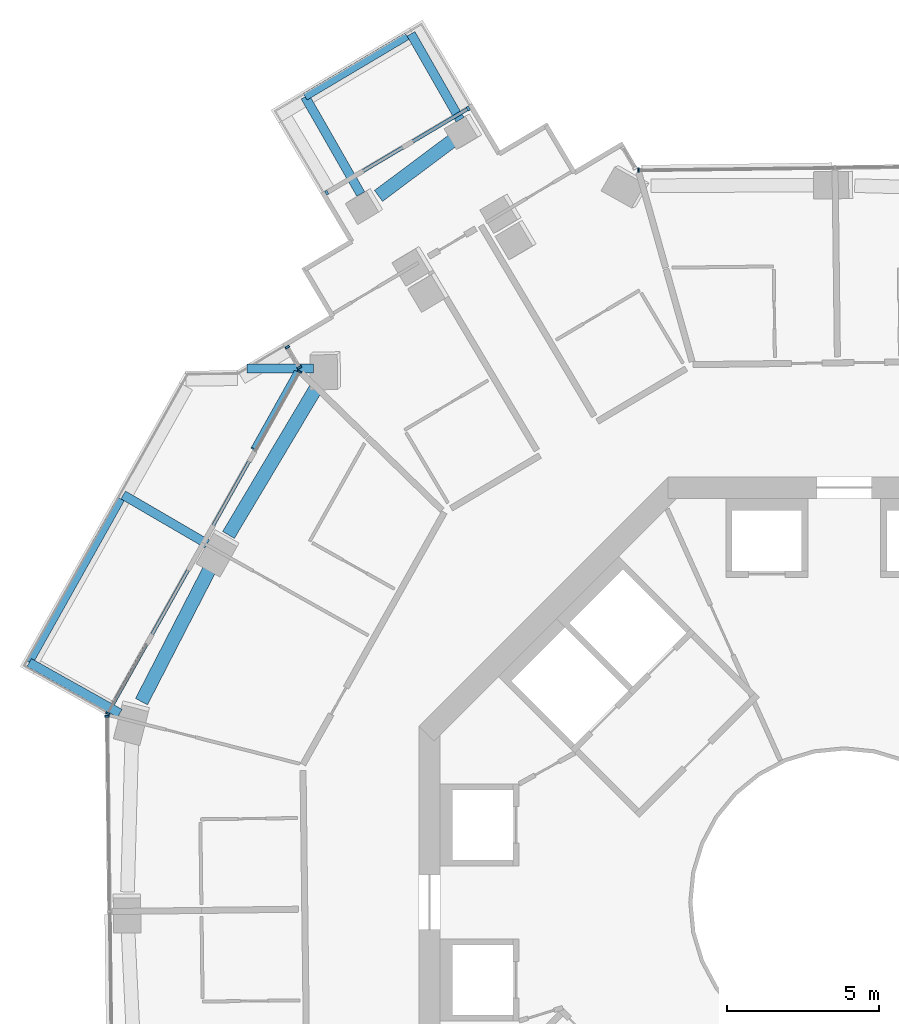
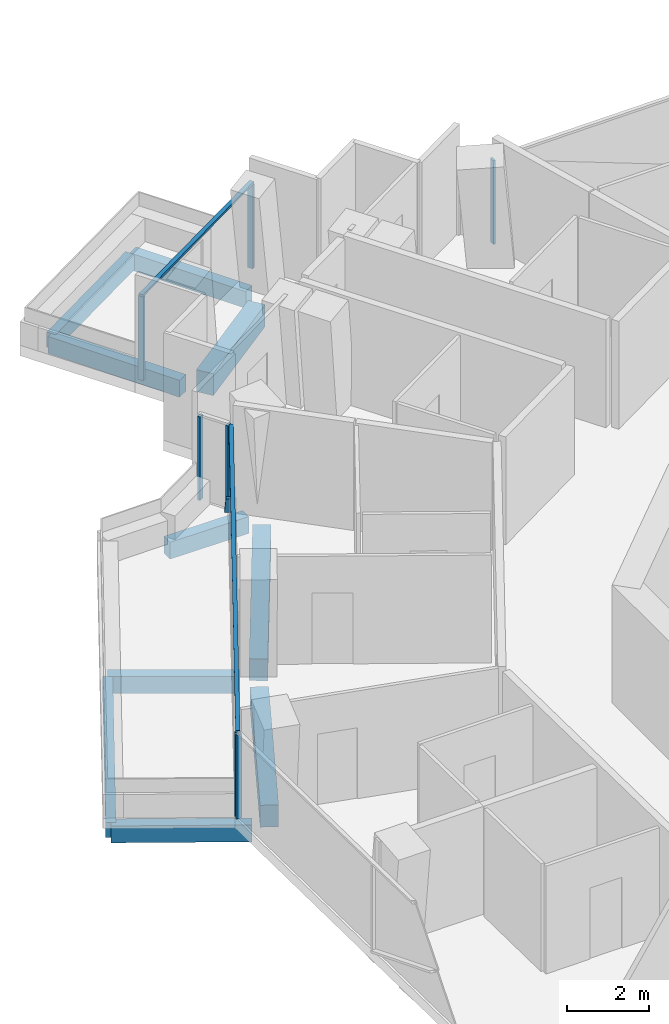
# One storey, part 7 of 21: 11 members, 10 beams, 5 elements without a shape of their own.
"""IFC4 building model written with IfcOpenShell, lengths in metres."""

from ifc_helpers import new_model, si_unit, direction, frame, origin, origin_2d, place, context, subcontext, project, spatial, rectangle, extrude, material, layer, layer_set, material_profile, profile_set, type_object, element, aggregate, save


model = new_model("IFC4")

# Units and contexts
model_context = context("Model", 3, precision=1e-05, world=origin(), true_north=direction((0.0, 1.0)))
body_context = subcontext(model_context, "Body", "Model", "MODEL_VIEW")
ifc_project = project(units=[si_unit("LENGTHUNIT", "METRE"), si_unit("AREAUNIT", "SQUARE_METRE"), si_unit("VOLUMEUNIT", "CUBIC_METRE"), si_unit("PLANEANGLEUNIT", "RADIAN"), si_unit("MASSUNIT", "GRAM", prefix="KILO")], contexts=[model_context])

# Site, building, storey
site_placement = place(None, origin())
site = spatial("IfcSite", under=ifc_project, at=site_placement, CompositionType="ELEMENT")
building_placement = place(site_placement, origin())
building = spatial("IfcBuilding", under=site, at=building_placement, Name="Verdalira Terraces Hotel", CompositionType="ELEMENT")
storey_placement = place(building_placement, frame((0.0, 0.0, 158.5)))
storey = spatial("IfcBuildingStorey", under=building, at=storey_placement, Name="L38", CompositionType="ELEMENT", Elevation=158.5)

# Beams
ifc_material_1 = material(Name="Concrete C40", Category="concrete")
ifc_material_profile_1 = material_profile(ifc_material_1, rectangle(XDim=0.300049, YDim=0.5, at=origin_2d()), Name="RC 300X500")
ifc_profile_set_1 = profile_set([ifc_material_profile_1], Name="Concrete C40")
beam_type_1 = type_object("IfcBeamType", Name="Balcony cantilever beam RC 300X500 C40", PredefinedType="BEAM", material=ifc_profile_set_1)
beam_1_placement = place(storey_placement, frame((-12.64502, 25.760742, -0.560059), z_axis=(-0.496316716, 0.868141531, 0.0), x_axis=(-0.868141531, -0.496316716, 0.0)))
element("IfcBeam", 1, at=beam_1_placement, inside=storey, type_object=beam_type_1, Name="Balcony cantilever beam R05-1", PredefinedType="BEAM", context=body_context, shape_type="SweptSolid", body=[
    extrude(rectangle(XDim=0.300049, YDim=0.5, at=origin_2d()), origin(), (0.0, 0.0, 1.0), 3.253418),
])
beam_2_placement = place(storey_placement, frame((-15.913086, 23.312256, -0.560059), z_axis=(-0.496366996, 0.868112784, 0.0), x_axis=(-0.868112784, -0.496366996, 0.0)))
element("IfcBeam", 2, at=beam_2_placement, inside=storey, type_object=beam_type_1, Name="Balcony cantilever beam R05-2", PredefinedType="BEAM", context=body_context, shape_type="SweptSolid", body=[
    extrude(rectangle(XDim=0.300049, YDim=0.5, at=origin_2d()), origin(), (0.0, 0.0, 1.0), 3.688965),
])
beam_3_placement = place(storey_placement, frame((-20.967285, 11.796631, -0.560059), z_axis=(-0.863925479, 0.503619664, 0.0), x_axis=(-0.503619664, -0.863925479, 0.0)))
element("IfcBeam", 3, at=beam_3_placement, inside=storey, type_object=beam_type_1, Name="Balcony cantilever beam R10-1", PredefinedType="BEAM", context=body_context, shape_type="SweptSolid", body=[
    extrude(rectangle(XDim=0.300049, YDim=0.5, at=origin_2d()), origin(), (0.0, 0.0, 1.0), 3.200928),
])
beam_4_placement = place(storey_placement, frame((-23.842529, 6.221191, -0.560059), z_axis=(-0.872230711, 0.48909466, 0.0), x_axis=(-0.48909466, -0.872230711, 0.0)))
element("IfcBeam", 4, at=beam_4_placement, inside=storey, type_object=beam_type_1, Name="Balcony cantilever beam R10-2", PredefinedType="BEAM", context=body_context, shape_type="SweptSolid", body=[
    extrude(rectangle(XDim=0.300049, YDim=0.5, at=origin_2d()), origin(), (0.0, 0.0, 1.0), 3.419189),
])
beam_5_placement = place(storey_placement, frame((-17.462891, 17.566895, -0.560059), z_axis=(-0.999990651, 0.004324164, 0.0), x_axis=(-0.004324164, -0.999990651, 0.0)))
element("IfcBeam", 5, at=beam_5_placement, inside=storey, type_object=beam_type_1, Name="Balcony cantilever beam R10-3", PredefinedType="BEAM", context=body_context, shape_type="SweptSolid", body=[
    extrude(rectangle(XDim=0.300049, YDim=0.5, at=origin_2d()), origin(), (0.0, 0.0, 1.0), 2.201904),
])
ifc_material_2 = material(Name="Concrete C40", Category="concrete")
ifc_material_profile_2 = material_profile(ifc_material_2, rectangle(XDim=0.25, YDim=0.449951, at=origin_2d()), Name="RC 250X450")
ifc_profile_set_2 = profile_set([ifc_material_profile_2], Name="Concrete C40")
beam_type_2 = type_object("IfcBeamType", Name="Balcony edge beam RC 250X450 C40", PredefinedType="BEAM", material=ifc_profile_set_2)
beam_6_placement = place(storey_placement, frame((-14.388672, 28.508545, -0.534912), z_axis=(-0.859676212, -0.51083932, 0.0), x_axis=(0.51083932, -0.859676212, 0.0)))
element("IfcBeam", 6, at=beam_6_placement, inside=storey, type_object=beam_type_2, Name="Balcony edge beam R05-1", PredefinedType="BEAM", context=body_context, shape_type="SweptSolid", body=[
    extrude(rectangle(XDim=0.25, YDim=0.449951, at=origin_2d()), origin(), (0.0, 0.0, 1.0), 3.903076),
])
beam_7_placement = place(storey_placement, frame((-23.805908, 13.277588, -0.534912), z_axis=(-0.489094675, -0.872230703, 0.0), x_axis=(0.872230703, -0.489094675, 0.0)))
element("IfcBeam", 7, at=beam_7_placement, inside=storey, type_object=beam_type_2, Name="Balcony edge beam R10-1", PredefinedType="BEAM", context=body_context, shape_type="SweptSolid", body=[
    extrude(rectangle(XDim=0.25, YDim=0.449951, at=origin_2d()), origin(), (0.0, 0.0, 1.0), 6.172607),
])

# Curtain wall, members
ifc_material_3 = material(Name="Clear glass", Category="glass")
ifc_layer_1 = layer(ifc_material_3, 0.14990234375)
ifc_layer_set_1 = layer_set([ifc_layer_1], Name="CW1 curtain wall")
curtain_wall_type_1 = type_object("IfcCurtainWallType", Name="CW1 curtain wall", PredefinedType="NOTDEFINED", material=ifc_layer_set_1)
curtain_wall_1_placement = place(storey_placement, origin())
curtain_wall_1 = element("IfcCurtainWall", 8, at=curtain_wall_1_placement, inside=storey, type_object=curtain_wall_type_1, Name="CW1 curtain wall L38 edge 11", PredefinedType="NOTDEFINED")
ifc_material_4 = material(Name="Terracotta frame", Category="masonry")
ifc_material_profile_3 = material_profile(ifc_material_4, rectangle(XDim=0.060059, YDim=0.149902, at=origin_2d()), Name="MU 60x150")
ifc_profile_set_3 = profile_set([ifc_material_profile_3], Name="Terracotta frame")
member_type_1 = type_object("IfcMemberType", Name="CW1 mullion 60x150", PredefinedType="MULLION", material=ifc_profile_set_3)
member_1_placement = place(storey_placement, frame((-17.929443, 17.470947, 0.0), z_axis=(0.0, 0.0, 1.0), x_axis=(-0.489078012, -0.872240046, 0.0)))
member_1 = element("IfcMember", 9, at=member_1_placement, type_object=member_type_1, Name="CW1 mullion", PredefinedType="MULLION", context=body_context, shape_type="SweptSolid", body=[
    extrude(rectangle(XDim=0.060059, YDim=0.149902, at=origin_2d()), origin(), (0.0, 0.0, 1.0), 2.475098),
])
member_2_placement = place(storey_placement, frame((-24.238281, 6.219238, 0.0), z_axis=(0.0, 0.0, 1.0), x_axis=(-0.489078012, -0.872240046, 0.0)))
member_2 = element("IfcMember", 10, at=member_2_placement, type_object=member_type_1, Name="CW1 mullion", PredefinedType="MULLION", context=body_context, shape_type="SweptSolid", body=[
    extrude(rectangle(XDim=0.060059, YDim=0.149902, at=origin_2d()), origin(), (0.0, 0.0, 1.0), 2.475098),
])

# Curtain wall, member
curtain_wall_2_placement = place(storey_placement, origin())
curtain_wall_2 = element("IfcCurtainWall", 11, at=curtain_wall_2_placement, inside=storey, type_object=curtain_wall_type_1, Name="CW1 curtain wall L38 edge 12", PredefinedType="NOTDEFINED")
member_3_placement = place(storey_placement, frame((-24.262207, 6.125488, 0.0), z_axis=(0.0, 0.0, 1.0), x_axis=(0.01256604, -0.999921044, 0.0)))
member_3 = element("IfcMember", 12, at=member_3_placement, type_object=member_type_1, Name="CW1 mullion", PredefinedType="MULLION", context=body_context, shape_type="SweptSolid", body=[
    extrude(rectangle(XDim=0.060059, YDim=0.149902, at=origin_2d()), origin(), (0.0, 0.0, 1.0), 2.475098),
])
aggregate(curtain_wall_2, [member_3])

curtain_wall_3_placement = place(storey_placement, origin())
curtain_wall_3 = element("IfcCurtainWall", 13, at=curtain_wall_3_placement, inside=storey, type_object=curtain_wall_type_1, Name="CW1 curtain wall L38 edge 41", PredefinedType="NOTDEFINED")
member_4_placement = place(storey_placement, frame((-6.773438, 24.100098, 0.0), z_axis=(0.0, 0.0, 1.0), x_axis=(-0.999921044, -0.01256604, 0.0)))
member_4 = element("IfcMember", 14, at=member_4_placement, type_object=member_type_1, Name="CW1 mullion", PredefinedType="MULLION", context=body_context, shape_type="SweptSolid", body=[
    extrude(rectangle(XDim=0.060059, YDim=0.149902, at=origin_2d()), origin(), (0.0, 0.0, 1.0), 2.475098),
])
aggregate(curtain_wall_3, [member_4])

# Member
ifc_material_5 = material(Name="Terracotta frame", Category="masonry")
ifc_material_profile_4 = material_profile(ifc_material_5, rectangle(XDim=0.110107, YDim=0.064941, at=origin_2d()), Name="TR 65x110")
ifc_profile_set_4 = profile_set([ifc_material_profile_4], Name="Terracotta frame")
member_type_2 = type_object("IfcMemberType", Name="CW1 transom 65x110", PredefinedType="USERDEFINED", material=ifc_profile_set_4)
member_5_placement = place(storey_placement, frame((-17.914551, 17.49707, 2.507568), z_axis=(-0.48908286, -0.872237328, 0.0), x_axis=(0.872237328, -0.48908286, 0.0)))
member_5 = element("IfcMember", 15, at=member_5_placement, type_object=member_type_2, Name="CW1 transom", ObjectType="TRANSOM", PredefinedType="USERDEFINED", context=body_context, shape_type="SweptSolid", body=[
    extrude(rectangle(XDim=0.110107, YDim=0.064941, at=origin_2d()), origin(), (0.0, 0.0, 1.0), 12.959717),
])

# Curtain wall, members
ifc_material_6 = material(Name="Clear glass", Category="glass")
ifc_layer_2 = layer(ifc_material_6, 0.14990234375)
ifc_layer_set_2 = layer_set([ifc_layer_2], Name="CW2 curtain wall")
curtain_wall_type_2 = type_object("IfcCurtainWallType", Name="CW2 curtain wall", PredefinedType="NOTDEFINED", material=ifc_layer_set_2)
curtain_wall_4_placement = place(storey_placement, origin())
curtain_wall_4 = element("IfcCurtainWall", 16, at=curtain_wall_4_placement, inside=storey, type_object=curtain_wall_type_2, Name="CW2 curtain wall L38 edge 10", PredefinedType="NOTDEFINED")
ifc_material_7 = material(Name="Terracotta frame", Category="masonry")
ifc_material_profile_5 = material_profile(ifc_material_7, rectangle(XDim=0.070068, YDim=0.149902, at=origin_2d()), Name="MU 70x150")
ifc_profile_set_5 = profile_set([ifc_material_profile_5], Name="Terracotta frame")
member_type_3 = type_object("IfcMemberType", Name="CW2 mullion 70x150", PredefinedType="MULLION", material=ifc_profile_set_5)
member_6_placement = place(storey_placement, frame((-18.332031, 18.272705, 0.0), z_axis=(0.0, 0.0, 1.0), x_axis=(0.510843032, -0.859674006, 0.0)))
member_6 = element("IfcMember", 17, at=member_6_placement, type_object=member_type_3, Name="CW2 mullion", PredefinedType="MULLION", context=body_context, shape_type="SweptSolid", body=[
    extrude(rectangle(XDim=0.070068, YDim=0.149902, at=origin_2d()), origin(), (0.0, 0.0, 1.0), 2.475098),
])
member_7_placement = place(storey_placement, frame((-17.933594, 17.602295, 0.0), z_axis=(0.0, 0.0, 1.0), x_axis=(0.510843032, -0.859674006, 0.0)))
member_7 = element("IfcMember", 18, at=member_7_placement, type_object=member_type_3, Name="CW2 mullion", PredefinedType="MULLION", context=body_context, shape_type="SweptSolid", body=[
    extrude(rectangle(XDim=0.070068, YDim=0.149902, at=origin_2d()), origin(), (0.0, 0.0, 1.0), 2.475098),
])
aggregate(curtain_wall_4, [member_6, member_7])

ifc_material_8 = material(Name="Clear glass", Category="glass")
ifc_layer_3 = layer(ifc_material_8, 0.14990234375)
ifc_layer_set_3 = layer_set([ifc_layer_3], Name="CW3 curtain wall")
curtain_wall_type_3 = type_object("IfcCurtainWallType", Name="CW3 curtain wall", PredefinedType="NOTDEFINED", material=ifc_layer_set_3)
curtain_wall_5_placement = place(storey_placement, origin())
curtain_wall_5 = element("IfcCurtainWall", 19, at=curtain_wall_5_placement, inside=storey, type_object=curtain_wall_type_3, Name="CW3 curtain wall L38 edge 5", PredefinedType="NOTDEFINED")
ifc_material_9 = material(Name="Terracotta frame", Category="masonry")
ifc_material_profile_6 = material_profile(ifc_material_9, rectangle(XDim=0.080078, YDim=0.149902, at=origin_2d()), Name="MU 80x150")
ifc_profile_set_6 = profile_set([ifc_material_profile_6], Name="Terracotta frame")
member_type_4 = type_object("IfcMemberType", Name="CW3 mullion 80x150", PredefinedType="MULLION", material=ifc_profile_set_6)
member_8_placement = place(storey_placement, frame((-12.374023, 26.128662, 0.0), z_axis=(0.0, 0.0, 1.0), x_axis=(-0.859674006, -0.510843032, 0.0)))
member_8 = element("IfcMember", 20, at=member_8_placement, type_object=member_type_4, Name="CW3 mullion", PredefinedType="MULLION", context=body_context, shape_type="SweptSolid", body=[
    extrude(rectangle(XDim=0.080078, YDim=0.149902, at=origin_2d()), origin(), (0.0, 0.0, 1.0), 2.475098),
])
member_9_placement = place(storey_placement, frame((-17.033447, 23.359863, 0.0), z_axis=(0.0, 0.0, 1.0), x_axis=(-0.859674006, -0.510843032, 0.0)))
member_9 = element("IfcMember", 21, at=member_9_placement, type_object=member_type_4, Name="CW3 mullion", PredefinedType="MULLION", context=body_context, shape_type="SweptSolid", body=[
    extrude(rectangle(XDim=0.080078, YDim=0.149902, at=origin_2d()), origin(), (0.0, 0.0, 1.0), 2.475098),
])
ifc_material_10 = material(Name="Terracotta frame", Category="masonry")
ifc_material_profile_7 = material_profile(ifc_material_10, rectangle(XDim=0.120117, YDim=0.064941, at=origin_2d()), Name="TR 65x120")
ifc_profile_set_7 = profile_set([ifc_material_profile_7], Name="Terracotta frame")
member_type_5 = type_object("IfcMemberType", Name="CW3 transom 65x120", PredefinedType="USERDEFINED", material=ifc_profile_set_7)
member_10_placement = place(storey_placement, frame((-12.3396, 26.14917, 2.507568), z_axis=(-0.859662869, -0.510861773, 0.0), x_axis=(0.510861773, -0.859662869, 0.0)))
member_10 = element("IfcMember", 22, at=member_10_placement, type_object=member_type_5, Name="CW3 transom", ObjectType="TRANSOM", PredefinedType="USERDEFINED", context=body_context, shape_type="SweptSolid", body=[
    extrude(rectangle(XDim=0.120117, YDim=0.064941, at=origin_2d()), origin(), (0.0, 0.0, 1.0), 5.500244),
])
aggregate(curtain_wall_5, [member_8, member_9, member_10])

# Member
ifc_material_11 = material(Name="Terracotta frame", Category="masonry")
ifc_material_profile_8 = material_profile(ifc_material_11, rectangle(XDim=0.149902, YDim=0.060059, at=origin_2d()), Name="GB 60x150")
ifc_profile_set_8 = profile_set([ifc_material_profile_8], Name="Terracotta frame")
member_type_6 = type_object("IfcMemberType", Name="Diagonal glazing bar 60x150", PredefinedType="USERDEFINED", material=ifc_profile_set_8)
member_11_placement = place(storey_placement, frame((-18.035889, 17.462891, 0.024414), z_axis=(-0.375466968, -0.669624672, 0.640802118), x_axis=(0.872240924, -0.489076447, 0.0)))
member_11 = element("IfcMember", 23, at=member_11_placement, type_object=member_type_6, Name="Diagonal glazing bar", ObjectType="GLAZING BAR", PredefinedType="USERDEFINED", context=body_context, shape_type="SweptSolid", body=[
    extrude(rectangle(XDim=0.149902, YDim=0.060059, at=origin_2d()), origin(), (0.0, 0.0, 1.0), 3.786377),
])

aggregate(curtain_wall_1, [member_1, member_2, member_5, member_11])

# Beams
ifc_material_12 = material(Name="Concrete C50", Category="concrete")
ifc_material_profile_9 = material_profile(ifc_material_12, rectangle(XDim=0.449951, YDim=0.649902, at=origin_2d()), Name="RC 450X650")
ifc_profile_set_9 = profile_set([ifc_material_profile_9], Name="Concrete C50")
beam_type_3 = type_object("IfcBeamType", Name="Spandrel beam RC 450X650 C50", PredefinedType="SPANDREL", material=ifc_profile_set_9)
beam_8_placement = place(storey_placement, frame((-12.772705, 25.161621, -0.63501), z_axis=(-0.801017615, -0.598640778, 0.0), x_axis=(0.598640778, -0.801017615, 0.0)))
element("IfcBeam", 24, at=beam_8_placement, inside=storey, type_object=beam_type_3, Name="Spandrel beam B01", PredefinedType="SPANDREL", context=body_context, shape_type="SweptSolid", body=[
    extrude(rectangle(XDim=0.449951, YDim=0.649902, at=origin_2d()), origin(), (0.0, 0.0, 1.0), 3.192139),
])
beam_9_placement = place(storey_placement, frame((-17.362305, 16.963867, -0.63501), z_axis=(-0.512202553, -0.858864684, 0.0), x_axis=(0.858864684, -0.512202553, 0.0)))
element("IfcBeam", 25, at=beam_9_placement, inside=storey, type_object=beam_type_3, Name="Spandrel beam B02", PredefinedType="SPANDREL", context=body_context, shape_type="SweptSolid", body=[
    extrude(rectangle(XDim=0.449951, YDim=0.649902, at=origin_2d()), origin(), (0.0, 0.0, 1.0), 5.672119),
])
beam_10_placement = place(storey_placement, frame((-20.837891, 11.062988, -0.63501), z_axis=(-0.457432757, -0.889244214, 0.0), x_axis=(0.889244214, -0.457432757, 0.0)))
element("IfcBeam", 26, at=beam_10_placement, inside=storey, type_object=beam_type_3, Name="Spandrel beam B03", PredefinedType="SPANDREL", context=body_context, shape_type="SweptSolid", body=[
    extrude(rectangle(XDim=0.449951, YDim=0.649902, at=origin_2d()), origin(), (0.0, 0.0, 1.0), 5.012207),
])

save(model, "model.ifc")
